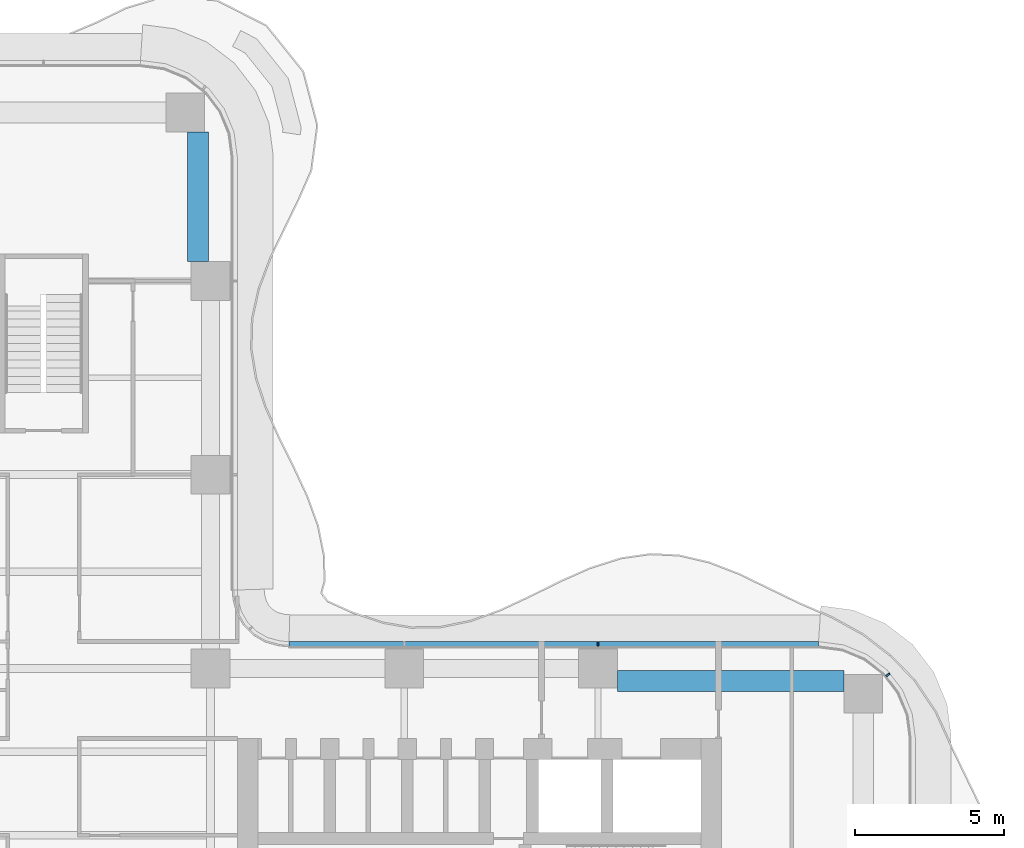
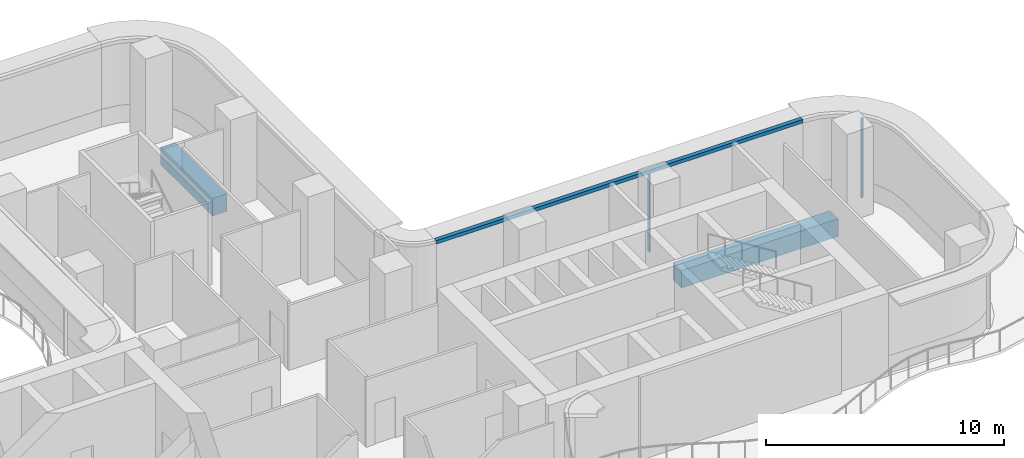
# One storey, part 11 of 23: 3 members, 2 beams, 2 elements without a shape of their own.
"""IFC4 building model written with IfcOpenShell, lengths in metres."""

from ifc_helpers import new_model, si_unit, direction, frame, origin, origin_2d, place, context, subcontext, project, spatial, polyline, rectangle, outline, extrude, source, transform, mapped, material, layer, layer_set, material_profile, profile_set, type_object, element, aggregate, save


model = new_model("IFC4")

# Units and contexts
model_context = context("Model", 3, precision=1e-05, world=origin(), true_north=direction((0.0, 1.0)))
body_context = subcontext(model_context, "Body", "Model", "MODEL_VIEW")
ifc_project = project(units=[si_unit("LENGTHUNIT", "METRE"), si_unit("AREAUNIT", "SQUARE_METRE"), si_unit("VOLUMEUNIT", "CUBIC_METRE"), si_unit("PLANEANGLEUNIT", "RADIAN"), si_unit("MASSUNIT", "GRAM", prefix="KILO")], contexts=[model_context])

# Site, building, storey
site_placement = place(None, origin())
site = spatial("IfcSite", under=ifc_project, at=site_placement, CompositionType="ELEMENT")
building_placement = place(site_placement, origin())
building = spatial("IfcBuilding", under=site, at=building_placement, Name="Trellis Farm Tower", CompositionType="ELEMENT")
storey_placement = place(building_placement, frame((0.0, 0.0, 120.0)))
storey = spatial("IfcBuildingStorey", under=building, at=storey_placement, Name="L25", CompositionType="ELEMENT", Elevation=120.0)

# Beams
ifc_material_1 = material(Name="Concrete C60/75", Category="concrete")
ifc_material_profile_1 = material_profile(ifc_material_1, rectangle(XDim=0.699951171875, YDim=0.89990234375, at=origin_2d()), Name="RC spandrel beam 700x900 C60/75")
ifc_profile_set_1 = profile_set([ifc_material_profile_1], Name="Concrete C60/75")
beam_type = type_object("IfcBeamType", Name="RC spandrel beam 700x900 C60/75", PredefinedType="SPANDREL", material=ifc_profile_set_1)
shared_shape_1 = source(origin(), body_context, "Body", "SweptSolid", [
    extrude(rectangle(XDim=0.699951171875, YDim=0.89990234375, at=origin_2d()), origin(), (0.0, 0.0, 1.0), 4.35009765625),
])
beam_1_placement = place(storey_placement, frame((5.175048828125, 19.25, -0.699951171875), z_axis=(0.0, 1.0, 0.0), x_axis=(-1.0, 0.0, 0.0)))
element("IfcBeam", 1, at=beam_1_placement, inside=storey, type_object=beam_type, Name="Girder", PredefinedType="SPANDREL", context=body_context, shape_type="MappedRepresentation", body=[
    mapped(shared_shape_1, transform((0.0, 0.0, 0.0))),
])
shared_shape_2 = source(origin(), body_context, "Body", "SweptSolid", [
    extrude(rectangle(XDim=0.699951171875, YDim=0.89990234375, at=origin_2d()), origin(), (0.0, 0.0, 1.0), 7.60009765625),
])
beam_2_placement = place(storey_placement, frame((19.25, 5.175048828125, -0.699951171875), z_axis=(1.0, 0.0, 0.0), x_axis=(0.0, 1.0, 0.0)))
element("IfcBeam", 2, at=beam_2_placement, inside=storey, type_object=beam_type, Name="Girder", PredefinedType="SPANDREL", context=body_context, shape_type="MappedRepresentation", body=[
    mapped(shared_shape_2, transform((0.0, 0.0, 0.0))),
])

# Curtain wall, member
ifc_material_2 = material(Name="Aluminium and glass curtain wall", Category="aluminium")
ifc_layer_1 = layer(ifc_material_2, 0.18994140625)
ifc_layer_set_1 = layer_set([ifc_layer_1], Name="RIBBON CURTAIN WALL CW1")
curtain_wall_type = type_object("IfcCurtainWallType", Name="RIBBON CURTAIN WALL CW1", PredefinedType="NOTDEFINED", material=ifc_layer_set_1)
placement = place(storey_placement, origin())
curtain_wall_1 = element("IfcCurtainWall", 3, at=placement, inside=storey, type_object=curtain_wall_type, Name="CW1 007", PredefinedType="NOTDEFINED")
ifc_material_3 = material(Name="Aluminium extrusion 6063-T6", Category="aluminium")
ifc_material_profile_2 = material_profile(ifc_material_3, rectangle(XDim=0.06005859375, YDim=0.14990234375, at=origin_2d()), Name="MULLION 60x150")
ifc_profile_set_2 = profile_set([ifc_material_profile_2], Name="Aluminium extrusion 6063-T6")
member_type_1 = type_object("IfcMemberType", Name="CW1 MULLION 60x150", PredefinedType="MULLION", material=ifc_profile_set_2)
shared_shape_3 = source(origin(), body_context, "Body", "SweptSolid", [
    extrude(rectangle(XDim=0.06005859375, YDim=0.14990234375, at=origin_2d()), origin(), (0.0, 0.0, 1.0), 4.070068359375),
])
member_1_placement = place(storey_placement, frame((28.328369140625, 5.385498046875, 0.0), z_axis=(0.0, 0.0, 1.0), x_axis=(-0.608761429009, 0.793353340291, 0.0)))
member_1 = element("IfcMember", 4, at=member_1_placement, type_object=member_type_1, Name="MU1 007-02", PredefinedType="MULLION", context=body_context, shape_type="MappedRepresentation", body=[
    mapped(shared_shape_3, transform((0.0, 0.0, 0.0))),
])
aggregate(curtain_wall_1, [member_1])

# Curtain wall, members
curtain_wall_2 = element("IfcCurtainWall", 5, at=placement, inside=storey, type_object=curtain_wall_type, Name="CW1 008", PredefinedType="NOTDEFINED")
member_2_placement = place(storey_placement, frame((18.60009765625, 6.425048828125, 0.0), z_axis=(0.0, 0.0, 1.0), x_axis=(-1.0, 0.0, 0.0)))
member_2 = element("IfcMember", 6, at=member_2_placement, type_object=member_type_1, Name="MU1 008-01", PredefinedType="MULLION", context=body_context, shape_type="MappedRepresentation", body=[
    mapped(shared_shape_3, transform((0.0, 0.0, 0.0))),
])
ifc_layer_2 = layer(ifc_material_3, 0.199951171875)
ifc_layer_set_2 = layer_set([ifc_layer_2], Name="Aluminium extrusion 6063-T6")
member_type_2 = type_object("IfcMemberType", Name="CW1 TRANSOM 200x180", PredefinedType="USERDEFINED", material=ifc_layer_set_2)
shared_shape_4 = source(origin(), body_context, "Body", "SweptSolid", [
    extrude(outline(polyline([(26.0, 6.5), (8.2314453125, 6.5), (8.224853515625, 6.300048828125), (25.98681640625, 6.300048828125), (26.0, 6.5)])), origin(), (0.0, 0.0, 1.0), 0.179931640625),
])
member_3_placement = place(storey_placement, frame((0.0, 0.0, 4.070068359375)))
member_3 = element("IfcMember", 7, at=member_3_placement, type_object=member_type_2, Name="TR1 008", ObjectType="TRANSOM", PredefinedType="USERDEFINED", context=body_context, shape_type="MappedRepresentation", body=[
    mapped(shared_shape_4, transform((0.0, 0.0, 0.0))),
])
aggregate(curtain_wall_2, [member_2, member_3])

save(model, "model.ifc")
